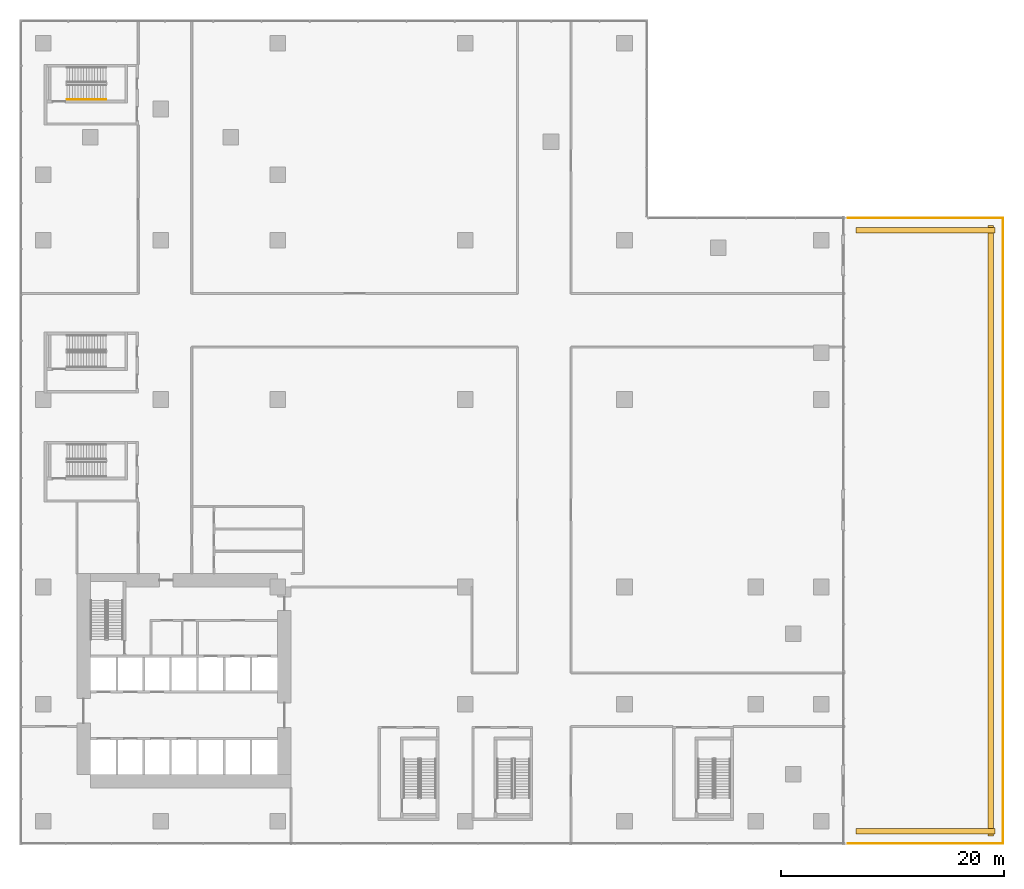
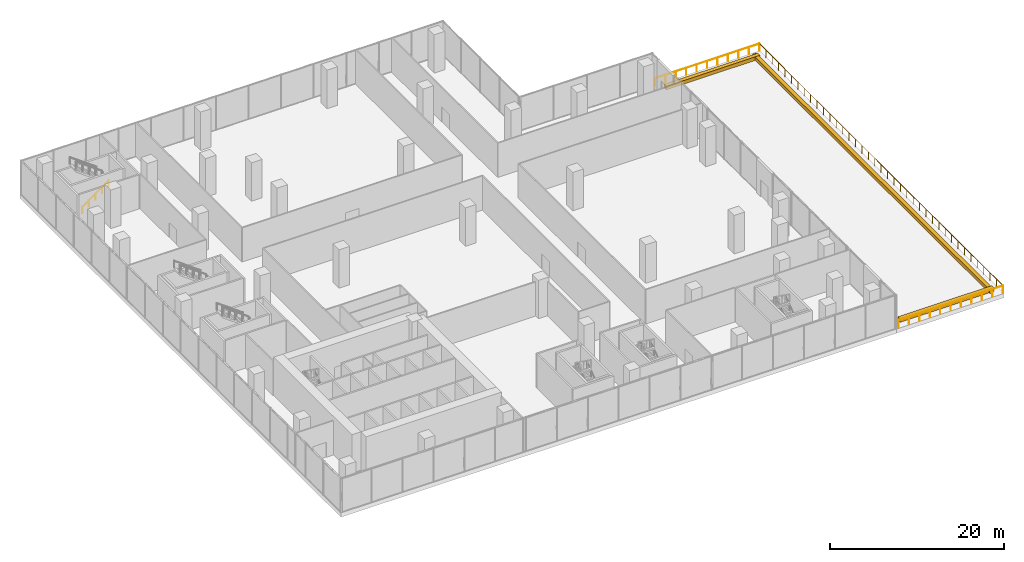
# One storey, part 22 of 23: 4 railings, 3 coverings.
"""IFC4 building model written with IfcOpenShell, lengths in metres."""

from ifc_helpers import new_model, si_unit, direction, frame, origin, origin_2d, place, context, subcontext, project, spatial, rectangle, circle, extrude, source, transform, mapped, material, type_object, element, save


model = new_model("IFC4")

# Units and contexts
model_context = context("Model", 3, precision=1e-05, world=origin(), true_north=direction((0.0, 1.0)))
body_context = subcontext(model_context, "Body", "Model", "MODEL_VIEW")
ifc_project = project(units=[si_unit("LENGTHUNIT", "METRE"), si_unit("AREAUNIT", "SQUARE_METRE"), si_unit("VOLUMEUNIT", "CUBIC_METRE"), si_unit("PLANEANGLEUNIT", "RADIAN"), si_unit("MASSUNIT", "GRAM", prefix="KILO")], contexts=[model_context])

# Site, building, storey
site_placement = place(None, origin())
site = spatial("IfcSite", under=ifc_project, at=site_placement, CompositionType="ELEMENT")
building_placement = place(site_placement, origin())
building = spatial("IfcBuilding", under=site, at=building_placement, Name="Aurelian Terraces", CompositionType="ELEMENT")
storey_placement = place(building_placement, frame((0.0, 0.0, 18.3)))
storey = spatial("IfcBuildingStorey", under=building, at=storey_placement, Name="L03", CompositionType="ELEMENT", Elevation=18.3)

# Railings
ifc_material_1 = material(Name="Anodised aluminium", Category="aluminium")
railing_type_1 = type_object("IfcRailingType", Name="GUARD-1100", PredefinedType="GUARDRAIL", material=ifc_material_1)
railing_1_placement = place(storey_placement, frame((72.12, 54.09, 0.0)))
element("IfcRailing", 1, at=railing_1_placement, inside=storey, type_object=railing_type_1, Name="Terrace guard L03 L03-X1.1", PredefinedType="GUARDRAIL", context=body_context, shape_type="SweptSolid", body=[
    extrude(circle(Radius=0.024, at=origin_2d()), frame((0.0, 0.0, 1.076), z_axis=(1.0, 0.0, 0.0), x_axis=(0.0, 1.0, 0.0)), (0.0, 0.0, 1.0), 13.89),
    extrude(circle(Radius=0.021, at=origin_2d()), origin(), (0.0, 0.0, 1.0), 1.052),
    extrude(circle(Radius=0.021, at=origin_2d()), frame((1.389, 0.0, 0.0)), (0.0, 0.0, 1.0), 1.052),
    extrude(circle(Radius=0.021, at=origin_2d()), frame((2.778, 0.0, 0.0)), (0.0, 0.0, 1.0), 1.052),
    extrude(circle(Radius=0.021, at=origin_2d()), frame((4.167, 0.0, 0.0)), (0.0, 0.0, 1.0), 1.052),
    extrude(circle(Radius=0.021, at=origin_2d()), frame((5.556, 0.0, 0.0)), (0.0, 0.0, 1.0), 1.052),
    extrude(circle(Radius=0.021, at=origin_2d()), frame((6.945, 0.0, 0.0)), (0.0, 0.0, 1.0), 1.052),
    extrude(circle(Radius=0.021, at=origin_2d()), frame((8.334, 0.0, 0.0)), (0.0, 0.0, 1.0), 1.052),
    extrude(circle(Radius=0.021, at=origin_2d()), frame((9.723, 0.0, 0.0)), (0.0, 0.0, 1.0), 1.052),
    extrude(circle(Radius=0.021, at=origin_2d()), frame((11.112, 0.0, 0.0)), (0.0, 0.0, 1.0), 1.052),
    extrude(circle(Radius=0.021, at=origin_2d()), frame((12.501, 0.0, 0.0)), (0.0, 0.0, 1.0), 1.052),
    extrude(circle(Radius=0.021, at=origin_2d()), frame((13.89, 0.0, 0.0)), (0.0, 0.0, 1.0), 1.052),
])
railing_2_placement = place(storey_placement, frame((86.01, 54.09, 0.0)))
element("IfcRailing", 2, at=railing_2_placement, inside=storey, type_object=railing_type_1, Name="Terrace guard L03 L03-X1.2", PredefinedType="GUARDRAIL", context=body_context, shape_type="SweptSolid", body=[
    extrude(circle(Radius=0.024, at=origin_2d()), frame((0.0, 0.0, 1.076), z_axis=(0.0, -1.0, 0.0), x_axis=(1.0, 0.0, 0.0)), (0.0, 0.0, 1.0), 56.1),
    extrude(circle(Radius=0.021, at=origin_2d()), origin(), (0.0, 0.0, 1.0), 1.052),
    extrude(circle(Radius=0.021, at=origin_2d()), frame((0.0, -1.4763, 0.0)), (0.0, 0.0, 1.0), 1.052),
    extrude(circle(Radius=0.021, at=origin_2d()), frame((0.0, -2.9526, 0.0)), (0.0, 0.0, 1.0), 1.052),
    extrude(circle(Radius=0.021, at=origin_2d()), frame((0.0, -4.4289, 0.0)), (0.0, 0.0, 1.0), 1.052),
    extrude(circle(Radius=0.021, at=origin_2d()), frame((0.0, -5.9053, 0.0)), (0.0, 0.0, 1.0), 1.052),
    extrude(circle(Radius=0.021, at=origin_2d()), frame((0.0, -7.3816, 0.0)), (0.0, 0.0, 1.0), 1.052),
    extrude(circle(Radius=0.021, at=origin_2d()), frame((0.0, -8.8579, 0.0)), (0.0, 0.0, 1.0), 1.052),
    extrude(circle(Radius=0.021, at=origin_2d()), frame((0.0, -10.3342, 0.0)), (0.0, 0.0, 1.0), 1.052),
    extrude(circle(Radius=0.021, at=origin_2d()), frame((0.0, -11.8105, 0.0)), (0.0, 0.0, 1.0), 1.052),
    extrude(circle(Radius=0.021, at=origin_2d()), frame((0.0, -13.2868, 0.0)), (0.0, 0.0, 1.0), 1.052),
    extrude(circle(Radius=0.021, at=origin_2d()), frame((0.0, -14.7632, 0.0)), (0.0, 0.0, 1.0), 1.052),
    extrude(circle(Radius=0.021, at=origin_2d()), frame((0.0, -16.2395, 0.0)), (0.0, 0.0, 1.0), 1.052),
    extrude(circle(Radius=0.021, at=origin_2d()), frame((0.0, -17.7158, 0.0)), (0.0, 0.0, 1.0), 1.052),
    extrude(circle(Radius=0.021, at=origin_2d()), frame((0.0, -19.1921, 0.0)), (0.0, 0.0, 1.0), 1.052),
    extrude(circle(Radius=0.021, at=origin_2d()), frame((0.0, -20.6684, 0.0)), (0.0, 0.0, 1.0), 1.052),
    extrude(circle(Radius=0.021, at=origin_2d()), frame((0.0, -22.1447, 0.0)), (0.0, 0.0, 1.0), 1.052),
    extrude(circle(Radius=0.021, at=origin_2d()), frame((0.0, -23.6211, 0.0)), (0.0, 0.0, 1.0), 1.052),
    extrude(circle(Radius=0.021, at=origin_2d()), frame((0.0, -25.0974, 0.0)), (0.0, 0.0, 1.0), 1.052),
    extrude(circle(Radius=0.021, at=origin_2d()), frame((0.0, -26.5737, 0.0)), (0.0, 0.0, 1.0), 1.052),
    extrude(circle(Radius=0.021, at=origin_2d()), frame((0.0, -28.05, 0.0)), (0.0, 0.0, 1.0), 1.052),
    extrude(circle(Radius=0.021, at=origin_2d()), frame((0.0, -29.5263, 0.0)), (0.0, 0.0, 1.0), 1.052),
    extrude(circle(Radius=0.021, at=origin_2d()), frame((0.0, -31.0026, 0.0)), (0.0, 0.0, 1.0), 1.052),
    extrude(circle(Radius=0.021, at=origin_2d()), frame((0.0, -32.4789, 0.0)), (0.0, 0.0, 1.0), 1.052),
    extrude(circle(Radius=0.021, at=origin_2d()), frame((0.0, -33.9553, 0.0)), (0.0, 0.0, 1.0), 1.052),
    extrude(circle(Radius=0.021, at=origin_2d()), frame((0.0, -35.4316, 0.0)), (0.0, 0.0, 1.0), 1.052),
    extrude(circle(Radius=0.021, at=origin_2d()), frame((0.0, -36.9079, 0.0)), (0.0, 0.0, 1.0), 1.052),
    extrude(circle(Radius=0.021, at=origin_2d()), frame((0.0, -38.3842, 0.0)), (0.0, 0.0, 1.0), 1.052),
    extrude(circle(Radius=0.021, at=origin_2d()), frame((0.0, -39.8605, 0.0)), (0.0, 0.0, 1.0), 1.052),
    extrude(circle(Radius=0.021, at=origin_2d()), frame((0.0, -41.3368, 0.0)), (0.0, 0.0, 1.0), 1.052),
    extrude(circle(Radius=0.021, at=origin_2d()), frame((0.0, -42.8132, 0.0)), (0.0, 0.0, 1.0), 1.052),
    extrude(circle(Radius=0.021, at=origin_2d()), frame((0.0, -44.2895, 0.0)), (0.0, 0.0, 1.0), 1.052),
    extrude(circle(Radius=0.021, at=origin_2d()), frame((0.0, -45.7658, 0.0)), (0.0, 0.0, 1.0), 1.052),
    extrude(circle(Radius=0.021, at=origin_2d()), frame((0.0, -47.2421, 0.0)), (0.0, 0.0, 1.0), 1.052),
    extrude(circle(Radius=0.021, at=origin_2d()), frame((0.0, -48.7184, 0.0)), (0.0, 0.0, 1.0), 1.052),
    extrude(circle(Radius=0.021, at=origin_2d()), frame((0.0, -50.1947, 0.0)), (0.0, 0.0, 1.0), 1.052),
    extrude(circle(Radius=0.021, at=origin_2d()), frame((0.0, -51.6711, 0.0)), (0.0, 0.0, 1.0), 1.052),
    extrude(circle(Radius=0.021, at=origin_2d()), frame((0.0, -53.1474, 0.0)), (0.0, 0.0, 1.0), 1.052),
    extrude(circle(Radius=0.021, at=origin_2d()), frame((0.0, -54.6237, 0.0)), (0.0, 0.0, 1.0), 1.052),
    extrude(circle(Radius=0.021, at=origin_2d()), frame((0.0, -56.1, 0.0)), (0.0, 0.0, 1.0), 1.052),
])
railing_3_placement = place(storey_placement, frame((86.01, -2.01, 0.0)))
element("IfcRailing", 3, at=railing_3_placement, inside=storey, type_object=railing_type_1, Name="Terrace guard L03 L03-X1.3", PredefinedType="GUARDRAIL", context=body_context, shape_type="SweptSolid", body=[
    extrude(circle(Radius=0.024, at=origin_2d()), frame((0.0, 0.0, 1.076), z_axis=(-1.0, 0.0, 0.0), x_axis=(0.0, -1.0, 0.0)), (0.0, 0.0, 1.0), 13.89),
    extrude(circle(Radius=0.021, at=origin_2d()), origin(), (0.0, 0.0, 1.0), 1.052),
    extrude(circle(Radius=0.021, at=origin_2d()), frame((-1.389, 0.0, 0.0)), (0.0, 0.0, 1.0), 1.052),
    extrude(circle(Radius=0.021, at=origin_2d()), frame((-2.778, 0.0, 0.0)), (0.0, 0.0, 1.0), 1.052),
    extrude(circle(Radius=0.021, at=origin_2d()), frame((-4.167, 0.0, 0.0)), (0.0, 0.0, 1.0), 1.052),
    extrude(circle(Radius=0.021, at=origin_2d()), frame((-5.556, 0.0, 0.0)), (0.0, 0.0, 1.0), 1.052),
    extrude(circle(Radius=0.021, at=origin_2d()), frame((-6.945, 0.0, 0.0)), (0.0, 0.0, 1.0), 1.052),
    extrude(circle(Radius=0.021, at=origin_2d()), frame((-8.334, 0.0, 0.0)), (0.0, 0.0, 1.0), 1.052),
    extrude(circle(Radius=0.021, at=origin_2d()), frame((-9.723, 0.0, 0.0)), (0.0, 0.0, 1.0), 1.052),
    extrude(circle(Radius=0.021, at=origin_2d()), frame((-11.112, 0.0, 0.0)), (0.0, 0.0, 1.0), 1.052),
    extrude(circle(Radius=0.021, at=origin_2d()), frame((-12.501, 0.0, 0.0)), (0.0, 0.0, 1.0), 1.052),
    extrude(circle(Radius=0.021, at=origin_2d()), frame((-13.89, 0.0, 0.0)), (0.0, 0.0, 1.0), 1.052),
])

# Coverings
ifc_material_2 = material(Name="Terracotta planter with planting soil", Category="masonry")
covering_type = type_object("IfcCoveringType", Name="PLANTER-TROUGH", PredefinedType="USERDEFINED", material=ifc_material_2)
covering_1_placement = place(storey_placement, frame((79.065, 52.99, 0.0), z_axis=(0.0, 0.0, 1.0), x_axis=(1.0, 0.0, 0.0)))
element("IfcCovering", 4, at=covering_1_placement, inside=storey, type_object=covering_type, Name="PLANTER L03 terrace L03-X1-0.1", ObjectType="PLANTER", PredefinedType="USERDEFINED", context=body_context, shape_type="SweptSolid", body=[
    extrude(rectangle(XDim=12.49, YDim=0.5, at=origin_2d()), origin(), (0.0, 0.0, 1.0), 0.5),
])
covering_2_placement = place(storey_placement, frame((84.91, 26.04, 0.0), z_axis=(0.0, 0.0, 1.0), x_axis=(1.0, 0.0, 0.0)))
element("IfcCovering", 5, at=covering_2_placement, inside=storey, type_object=covering_type, Name="PLANTER L03 terrace L03-X1-1.1", ObjectType="PLANTER", PredefinedType="USERDEFINED", context=body_context, shape_type="SweptSolid", body=[
    extrude(rectangle(XDim=0.5, YDim=54.7, at=origin_2d()), origin(), (0.0, 0.0, 1.0), 0.5),
])
shared_shape_1 = source(origin(), body_context, "Body", "SweptSolid", [
    extrude(rectangle(XDim=12.49, YDim=0.5, at=origin_2d()), origin(), (0.0, 0.0, 1.0), 0.5),
])
covering_3_placement = place(storey_placement, frame((79.065, -0.91, 0.0), z_axis=(0.0, 0.0, 1.0), x_axis=(1.0, 0.0, 0.0)))
element("IfcCovering", 6, at=covering_3_placement, inside=storey, type_object=covering_type, Name="PLANTER L03 terrace L03-X1-2.1", ObjectType="PLANTER", PredefinedType="USERDEFINED", context=body_context, shape_type="MappedRepresentation", body=[
    mapped(shared_shape_1, transform((0.0, 0.0, 0.0), scale=1.0)),
])

# Railing
ifc_material_3 = material(Name="Stainless steel", Category="steel")
railing_type_2 = type_object("IfcRailingType", Name="Stair handrail", PredefinedType="HANDRAIL", material=ifc_material_3)
shared_shape_2 = source(origin(), body_context, "Body", "SweptSolid", [
    extrude(circle(Radius=0.024, at=origin_2d()), frame((0.0, 0.0, 0.876), z_axis=(0.811534341451, 0.0, 0.584304725845), x_axis=(0.0, 1.0, 0.0)), (0.0, 0.0, 1.0), 4.3128),
    extrude(circle(Radius=0.021, at=origin_2d()), origin(), (0.0, 0.0, 1.0), 0.852),
    extrude(circle(Radius=0.021, at=origin_2d()), frame((0.875, 0.0, 0.63)), (0.0, 0.0, 1.0), 0.852),
    extrude(circle(Radius=0.021, at=origin_2d()), frame((1.75, 0.0, 1.26)), (0.0, 0.0, 1.0), 0.852),
    extrude(circle(Radius=0.021, at=origin_2d()), frame((2.625, 0.0, 1.89)), (0.0, 0.0, 1.0), 0.852),
    extrude(circle(Radius=0.021, at=origin_2d()), frame((3.5, 0.0, 2.52)), (0.0, 0.0, 1.0), 0.852),
])
railing_4_placement = place(storey_placement, frame((2.1, 64.7, 0.18)))
element("IfcRailing", 7, at=railing_4_placement, inside=storey, type_object=railing_type_2, Name="L03 S5 stair handrail 1", PredefinedType="HANDRAIL", context=body_context, shape_type="MappedRepresentation", body=[
    mapped(shared_shape_2, transform((0.0, 0.0, 0.0), scale=1.0)),
])

save(model, "model.ifc")
